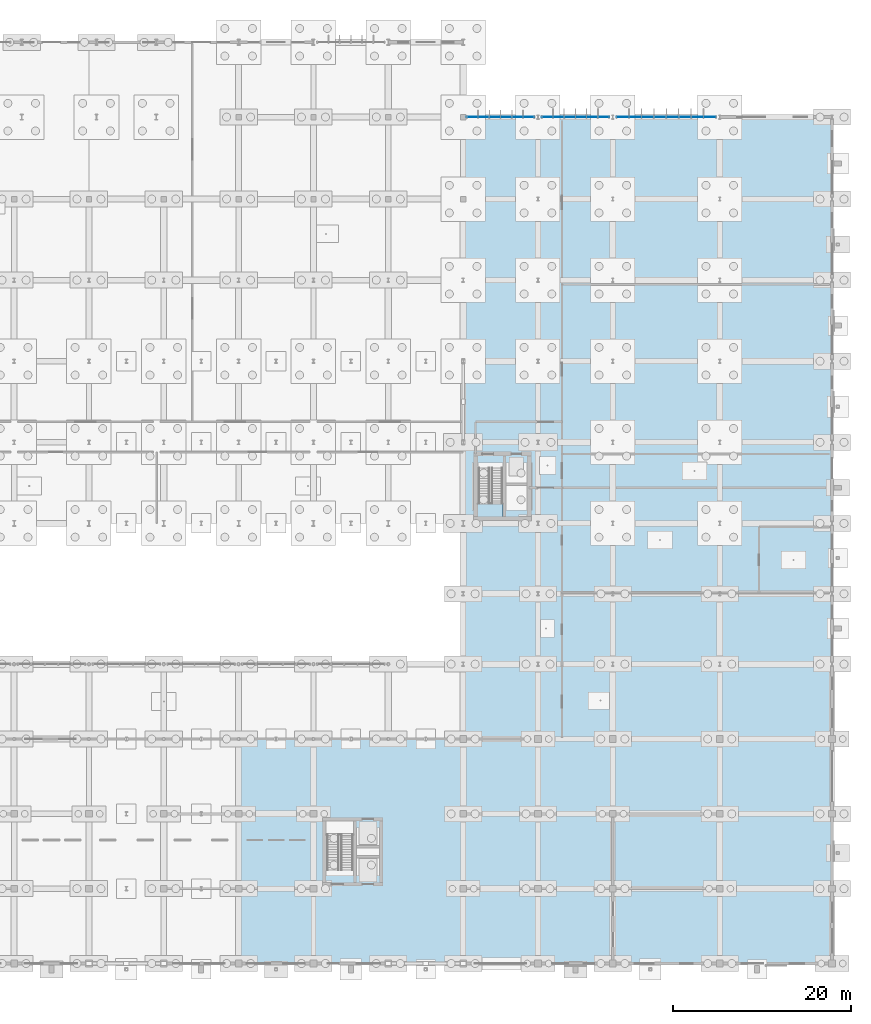
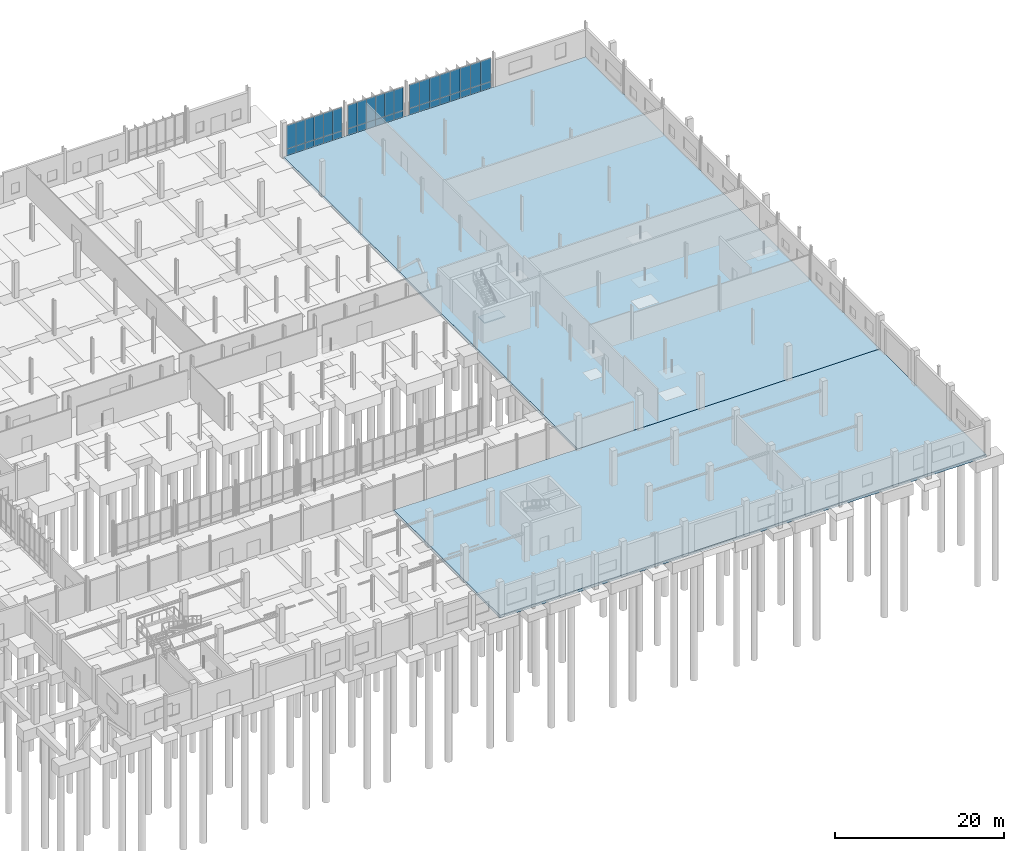
# One storey, part 72 of 119: 40 plates, 3 slabs, 4 elements without a shape of their own.
"""IFC4 building model written with IfcOpenShell, lengths in metres."""

from ifc_helpers import new_model, si_unit, derived_unit, direction, frame, origin, origin_2d, place, context, subcontext, project, spatial, polyline, rectangle, outline, extrude, material, layer, layer_set, type_object, element, aggregate, save


model = new_model("IFC4")

# Units and contexts
model_context = context("Model", 3, precision=1e-05, world=origin(), true_north=direction((0.0, 1.0)))
body_context = subcontext(model_context, "Body", "Model", "MODEL_VIEW")
ifc_project = project(units=[si_unit("LENGTHUNIT", "METRE"), si_unit("AREAUNIT", "SQUARE_METRE"), si_unit("VOLUMEUNIT", "CUBIC_METRE"), si_unit("PLANEANGLEUNIT", "RADIAN"), si_unit("MASSUNIT", "GRAM", prefix="KILO"), derived_unit("THERMALTRANSMITTANCEUNIT", [(si_unit("MASSUNIT", "GRAM", prefix="KILO"), 1), (si_unit("TIMEUNIT", "SECOND"), -3), (si_unit("THERMODYNAMICTEMPERATUREUNIT", "KELVIN"), -1)])], contexts=[model_context])

# Site, building, storey
site_placement = place(None, origin())
site = spatial("IfcSite", under=ifc_project, at=site_placement, CompositionType="ELEMENT")
building_placement = place(site_placement, origin())
building = spatial("IfcBuilding", under=site, at=building_placement, Name="Makaiwela Harbour Ferry Terminal", CompositionType="ELEMENT")
storey_placement = place(building_placement, origin())
storey = spatial("IfcBuildingStorey", under=building, at=storey_placement, Name="L00", CompositionType="ELEMENT", Elevation=0.0)

# Curtain wall, plates
ifc_material_1 = material(Name="Marine anodised aluminium 6063-T6", Category="aluminium")
ifc_layer_1 = layer(ifc_material_1, 0.199951171875)
ifc_layer_set_1 = layer_set([ifc_layer_1], Name="Marine anodised aluminium 6063-T6")
curtain_wall_type_1 = type_object("IfcCurtainWallType", Name="ENV-CW-10", PredefinedType="USERDEFINED", material=ifc_layer_set_1)
curtain_wall_1_placement = place(storey_placement, origin())
curtain_wall_1 = element("IfcCurtainWall", 1, at=curtain_wall_1_placement, inside=storey, type_object=curtain_wall_type_1, Name="Unitised Curtain Wall CWA-120", ObjectType="UNITIZED CURTAIN WALL", PredefinedType="USERDEFINED")
ifc_material_2 = material(Name="Laminated hurricane-impact low-E insulated glazing", Category="glass")
ifc_layer_2 = layer(ifc_material_2, 0.031982421875)
ifc_layer_set_2 = layer_set([ifc_layer_2], Name="Laminated hurricane-impact low-E insulated glazing")
plate_type_1 = type_object("IfcPlateType", Name="CW-PNL-G14", PredefinedType="CURTAIN_PANEL", material=ifc_layer_set_2)
plate_1_placement = place(storey_placement, frame((139.64990234375, 95.0, 0.949951171875), z_axis=(0.0, 0.0, 1.0), x_axis=(1.0, 0.0, 0.0)))
plate_1 = element("IfcPlate", 2, at=plate_1_placement, type_object=plate_type_1, Name="Glazed Vision Panel CWA-120-1G", PredefinedType="CURTAIN_PANEL", context=body_context, shape_type="SweptSolid", body=[
    extrude(rectangle(XDim=1.260009765625, YDim=0.031982421875, at=origin_2d()), origin(), (0.0, 0.0, 1.0), 3.39990234375),
])
plate_2_placement = place(storey_placement, frame((140.909912109375, 95.0, 0.949951171875), z_axis=(0.0, 0.0, 1.0), x_axis=(1.0, 0.0, 0.0)))
plate_2 = element("IfcPlate", 3, at=plate_2_placement, type_object=plate_type_1, Name="Glazed Vision Panel CWA-120-2G", PredefinedType="CURTAIN_PANEL", context=body_context, shape_type="SweptSolid", body=[
    extrude(rectangle(XDim=1.260009765625, YDim=0.031982421875, at=origin_2d()), origin(), (0.0, 0.0, 1.0), 3.39990234375),
])
plate_3_placement = place(storey_placement, frame((142.169921875, 95.0, 0.949951171875), z_axis=(0.0, 0.0, 1.0), x_axis=(1.0, 0.0, 0.0)))
plate_3 = element("IfcPlate", 4, at=plate_3_placement, type_object=plate_type_1, Name="Glazed Vision Panel CWA-120-3G", PredefinedType="CURTAIN_PANEL", context=body_context, shape_type="SweptSolid", body=[
    extrude(rectangle(XDim=1.260009765625, YDim=0.031982421875, at=origin_2d()), origin(), (0.0, 0.0, 1.0), 3.39990234375),
])
plate_4_placement = place(storey_placement, frame((143.429931640625, 95.0, 0.949951171875), z_axis=(0.0, 0.0, 1.0), x_axis=(1.0, 0.0, 0.0)))
plate_4 = element("IfcPlate", 5, at=plate_4_placement, type_object=plate_type_1, Name="Glazed Vision Panel CWA-120-4G", PredefinedType="CURTAIN_PANEL", context=body_context, shape_type="SweptSolid", body=[
    extrude(rectangle(XDim=1.260009765625, YDim=0.031982421875, at=origin_2d()), origin(), (0.0, 0.0, 1.0), 3.39990234375),
])
plate_5_placement = place(storey_placement, frame((144.68994140625, 95.0, 0.949951171875), z_axis=(0.0, 0.0, 1.0), x_axis=(1.0, 0.0, 0.0)))
plate_5 = element("IfcPlate", 6, at=plate_5_placement, type_object=plate_type_1, Name="Glazed Vision Panel CWA-120-5G", PredefinedType="CURTAIN_PANEL", context=body_context, shape_type="SweptSolid", body=[
    extrude(rectangle(XDim=1.260009765625, YDim=0.031982421875, at=origin_2d()), origin(), (0.0, 0.0, 1.0), 3.39990234375),
])
plate_6_placement = place(storey_placement, frame((145.949951171875, 95.0, 0.949951171875), z_axis=(0.0, 0.0, 1.0), x_axis=(1.0, 0.0, 0.0)))
plate_6 = element("IfcPlate", 7, at=plate_6_placement, type_object=plate_type_1, Name="Glazed Vision Panel CWA-120-6G", PredefinedType="CURTAIN_PANEL", context=body_context, shape_type="SweptSolid", body=[
    extrude(rectangle(XDim=1.260009765625, YDim=0.031982421875, at=origin_2d()), origin(), (0.0, 0.0, 1.0), 3.39990234375),
])

curtain_wall_2_placement = place(storey_placement, origin())
curtain_wall_2 = element("IfcCurtainWall", 8, at=curtain_wall_2_placement, inside=storey, type_object=curtain_wall_type_1, Name="Unitised Curtain Wall CWA-124", ObjectType="UNITIZED CURTAIN WALL", PredefinedType="USERDEFINED")
plate_7_placement = place(storey_placement, frame((148.050048828125, 95.0, 0.949951171875), z_axis=(0.0, 0.0, 1.0), x_axis=(1.0, 0.0, 0.0)))
plate_7 = element("IfcPlate", 9, at=plate_7_placement, type_object=plate_type_1, Name="Glazed Vision Panel CWA-124-1G", PredefinedType="CURTAIN_PANEL", context=body_context, shape_type="SweptSolid", body=[
    extrude(rectangle(XDim=1.260009765625, YDim=0.031982421875, at=origin_2d()), origin(), (0.0, 0.0, 1.0), 3.39990234375),
])
plate_8_placement = place(storey_placement, frame((149.31005859375, 95.0, 0.949951171875), z_axis=(0.0, 0.0, 1.0), x_axis=(1.0, 0.0, 0.0)))
plate_8 = element("IfcPlate", 10, at=plate_8_placement, type_object=plate_type_1, Name="Glazed Vision Panel CWA-124-2G", PredefinedType="CURTAIN_PANEL", context=body_context, shape_type="SweptSolid", body=[
    extrude(rectangle(XDim=1.260009765625, YDim=0.031982421875, at=origin_2d()), origin(), (0.0, 0.0, 1.0), 3.39990234375),
])
plate_9_placement = place(storey_placement, frame((150.570068359375, 95.0, 0.949951171875), z_axis=(0.0, 0.0, 1.0), x_axis=(1.0, 0.0, 0.0)))
plate_9 = element("IfcPlate", 11, at=plate_9_placement, type_object=plate_type_1, Name="Glazed Vision Panel CWA-124-3G", PredefinedType="CURTAIN_PANEL", context=body_context, shape_type="SweptSolid", body=[
    extrude(rectangle(XDim=1.260009765625, YDim=0.031982421875, at=origin_2d()), origin(), (0.0, 0.0, 1.0), 3.39990234375),
])
plate_10_placement = place(storey_placement, frame((151.830078125, 95.0, 0.949951171875), z_axis=(0.0, 0.0, 1.0), x_axis=(1.0, 0.0, 0.0)))
plate_10 = element("IfcPlate", 12, at=plate_10_placement, type_object=plate_type_1, Name="Glazed Vision Panel CWA-124-4G", PredefinedType="CURTAIN_PANEL", context=body_context, shape_type="SweptSolid", body=[
    extrude(rectangle(XDim=1.260009765625, YDim=0.031982421875, at=origin_2d()), origin(), (0.0, 0.0, 1.0), 3.39990234375),
])
plate_11_placement = place(storey_placement, frame((153.090087890625, 95.0, 0.949951171875), z_axis=(0.0, 0.0, 1.0), x_axis=(1.0, 0.0, 0.0)))
plate_11 = element("IfcPlate", 13, at=plate_11_placement, type_object=plate_type_1, Name="Glazed Vision Panel CWA-124-5G", PredefinedType="CURTAIN_PANEL", context=body_context, shape_type="SweptSolid", body=[
    extrude(rectangle(XDim=1.260009765625, YDim=0.031982421875, at=origin_2d()), origin(), (0.0, 0.0, 1.0), 3.39990234375),
])
plate_12_placement = place(storey_placement, frame((154.35009765625, 95.0, 0.949951171875), z_axis=(0.0, 0.0, 1.0), x_axis=(1.0, 0.0, 0.0)))
plate_12 = element("IfcPlate", 14, at=plate_12_placement, type_object=plate_type_1, Name="Glazed Vision Panel CWA-124-6G", PredefinedType="CURTAIN_PANEL", context=body_context, shape_type="SweptSolid", body=[
    extrude(rectangle(XDim=1.260009765625, YDim=0.031982421875, at=origin_2d()), origin(), (0.0, 0.0, 1.0), 3.39990234375),
])

ifc_layer_3 = layer(ifc_material_1, 0.199951171875)
ifc_layer_set_3 = layer_set([ifc_layer_3], Name="Marine anodised aluminium 6063-T6")
curtain_wall_type_2 = type_object("IfcCurtainWallType", Name="ENV-CW-16", PredefinedType="USERDEFINED", material=ifc_layer_set_3)
curtain_wall_3_placement = place(storey_placement, origin())
curtain_wall_3 = element("IfcCurtainWall", 15, at=curtain_wall_3_placement, inside=storey, type_object=curtain_wall_type_2, Name="Unitised Curtain Wall CWA-128", ObjectType="UNITIZED CURTAIN WALL", PredefinedType="USERDEFINED")
ifc_layer_4 = layer(ifc_material_2, 0.031982421875)
ifc_layer_set_4 = layer_set([ifc_layer_4], Name="Laminated hurricane-impact low-E insulated glazing")
plate_type_2 = type_object("IfcPlateType", Name="CW-PNL-G22", PredefinedType="CURTAIN_PANEL", material=ifc_layer_set_4)
plate_13_placement = place(storey_placement, frame((156.517578125, 95.0, 0.949951171875), z_axis=(0.0, 0.0, 1.0), x_axis=(1.0, 0.0, 0.0)))
plate_13 = element("IfcPlate", 16, at=plate_13_placement, type_object=plate_type_2, Name="Glazed Vision Panel CWA-128-1G", PredefinedType="CURTAIN_PANEL", context=body_context, shape_type="SweptSolid", body=[
    extrude(rectangle(XDim=1.39501953125, YDim=0.031982421875, at=origin_2d()), origin(), (0.0, 0.0, 1.0), 3.39990234375),
])
plate_14_placement = place(storey_placement, frame((157.91259765625, 95.0, 0.949951171875), z_axis=(0.0, 0.0, 1.0), x_axis=(1.0, 0.0, 0.0)))
plate_14 = element("IfcPlate", 17, at=plate_14_placement, type_object=plate_type_2, Name="Glazed Vision Panel CWA-128-2G", PredefinedType="CURTAIN_PANEL", context=body_context, shape_type="SweptSolid", body=[
    extrude(rectangle(XDim=1.39501953125, YDim=0.031982421875, at=origin_2d()), origin(), (0.0, 0.0, 1.0), 3.39990234375),
])
plate_15_placement = place(storey_placement, frame((159.3076171875, 95.0, 0.949951171875), z_axis=(0.0, 0.0, 1.0), x_axis=(1.0, 0.0, 0.0)))
plate_15 = element("IfcPlate", 18, at=plate_15_placement, type_object=plate_type_2, Name="Glazed Vision Panel CWA-128-3G", PredefinedType="CURTAIN_PANEL", context=body_context, shape_type="SweptSolid", body=[
    extrude(rectangle(XDim=1.39501953125, YDim=0.031982421875, at=origin_2d()), origin(), (0.0, 0.0, 1.0), 3.39990234375),
])
plate_16_placement = place(storey_placement, frame((160.702392578125, 95.0, 0.949951171875), z_axis=(0.0, 0.0, 1.0), x_axis=(1.0, 0.0, 0.0)))
plate_16 = element("IfcPlate", 19, at=plate_16_placement, type_object=plate_type_2, Name="Glazed Vision Panel CWA-128-4G", PredefinedType="CURTAIN_PANEL", context=body_context, shape_type="SweptSolid", body=[
    extrude(rectangle(XDim=1.39501953125, YDim=0.031982421875, at=origin_2d()), origin(), (0.0, 0.0, 1.0), 3.39990234375),
])
plate_17_placement = place(storey_placement, frame((162.097412109375, 95.0, 0.949951171875), z_axis=(0.0, 0.0, 1.0), x_axis=(1.0, 0.0, 0.0)))
plate_17 = element("IfcPlate", 20, at=plate_17_placement, type_object=plate_type_2, Name="Glazed Vision Panel CWA-128-5G", PredefinedType="CURTAIN_PANEL", context=body_context, shape_type="SweptSolid", body=[
    extrude(rectangle(XDim=1.39501953125, YDim=0.031982421875, at=origin_2d()), origin(), (0.0, 0.0, 1.0), 3.39990234375),
])
plate_18_placement = place(storey_placement, frame((163.492431640625, 95.0, 0.949951171875), z_axis=(0.0, 0.0, 1.0), x_axis=(1.0, 0.0, 0.0)))
plate_18 = element("IfcPlate", 21, at=plate_18_placement, type_object=plate_type_2, Name="Glazed Vision Panel CWA-128-6G", PredefinedType="CURTAIN_PANEL", context=body_context, shape_type="SweptSolid", body=[
    extrude(rectangle(XDim=1.39501953125, YDim=0.031982421875, at=origin_2d()), origin(), (0.0, 0.0, 1.0), 3.39990234375),
])
plate_19_placement = place(storey_placement, frame((164.887451171875, 95.0, 0.949951171875), z_axis=(0.0, 0.0, 1.0), x_axis=(1.0, 0.0, 0.0)))
plate_19 = element("IfcPlate", 22, at=plate_19_placement, type_object=plate_type_2, Name="Glazed Vision Panel CWA-128-7G", PredefinedType="CURTAIN_PANEL", context=body_context, shape_type="SweptSolid", body=[
    extrude(rectangle(XDim=1.39501953125, YDim=0.031982421875, at=origin_2d()), origin(), (0.0, 0.0, 1.0), 3.39990234375),
])
plate_20_placement = place(storey_placement, frame((166.282470703125, 95.0, 0.949951171875), z_axis=(0.0, 0.0, 1.0), x_axis=(1.0, 0.0, 0.0)))
plate_20 = element("IfcPlate", 23, at=plate_20_placement, type_object=plate_type_2, Name="Glazed Vision Panel CWA-128-8G", PredefinedType="CURTAIN_PANEL", context=body_context, shape_type="SweptSolid", body=[
    extrude(rectangle(XDim=1.39501953125, YDim=0.031982421875, at=origin_2d()), origin(), (0.0, 0.0, 1.0), 3.39990234375),
])

# Plate
ifc_material_3 = material(Name="Insulated marine aluminium spandrel panel", Category="aluminium")
ifc_layer_5 = layer(ifc_material_3, 0.048095703125)
ifc_layer_set_5 = layer_set([ifc_layer_5], Name="Insulated marine aluminium spandrel panel")
plate_type_3 = type_object("IfcPlateType", Name="CW-PNL-S11", PredefinedType="CURTAIN_PANEL", material=ifc_layer_set_5)
plate_21_placement = place(storey_placement, frame((139.64990234375, 95.0, 0.0), z_axis=(0.0, 0.0, 1.0), x_axis=(1.0, 0.0, 0.0)))
plate_21 = element("IfcPlate", 24, at=plate_21_placement, type_object=plate_type_3, Name="Spandrel Panel CWA-120-1S", PredefinedType="CURTAIN_PANEL", context=body_context, shape_type="SweptSolid", body=[
    extrude(rectangle(XDim=1.260009765625, YDim=0.048095703125, at=origin_2d()), origin(), (0.0, 0.0, 1.0), 0.949951171875),
])

plate_22_placement = place(storey_placement, frame((140.909912109375, 95.0, 0.0), z_axis=(0.0, 0.0, 1.0), x_axis=(1.0, 0.0, 0.0)))
plate_22 = element("IfcPlate", 25, at=plate_22_placement, type_object=plate_type_3, Name="Spandrel Panel CWA-120-2S", PredefinedType="CURTAIN_PANEL", context=body_context, shape_type="SweptSolid", body=[
    extrude(rectangle(XDim=1.260009765625, YDim=0.048095703125, at=origin_2d()), origin(), (0.0, 0.0, 1.0), 0.949951171875),
])

plate_23_placement = place(storey_placement, frame((142.169921875, 95.0, 0.0), z_axis=(0.0, 0.0, 1.0), x_axis=(1.0, 0.0, 0.0)))
plate_23 = element("IfcPlate", 26, at=plate_23_placement, type_object=plate_type_3, Name="Spandrel Panel CWA-120-3S", PredefinedType="CURTAIN_PANEL", context=body_context, shape_type="SweptSolid", body=[
    extrude(rectangle(XDim=1.260009765625, YDim=0.048095703125, at=origin_2d()), origin(), (0.0, 0.0, 1.0), 0.949951171875),
])

plate_24_placement = place(storey_placement, frame((143.429931640625, 95.0, 0.0), z_axis=(0.0, 0.0, 1.0), x_axis=(1.0, 0.0, 0.0)))
plate_24 = element("IfcPlate", 27, at=plate_24_placement, type_object=plate_type_3, Name="Spandrel Panel CWA-120-4S", PredefinedType="CURTAIN_PANEL", context=body_context, shape_type="SweptSolid", body=[
    extrude(rectangle(XDim=1.260009765625, YDim=0.048095703125, at=origin_2d()), origin(), (0.0, 0.0, 1.0), 0.949951171875),
])

plate_25_placement = place(storey_placement, frame((144.68994140625, 95.0, 0.0), z_axis=(0.0, 0.0, 1.0), x_axis=(1.0, 0.0, 0.0)))
plate_25 = element("IfcPlate", 28, at=plate_25_placement, type_object=plate_type_3, Name="Spandrel Panel CWA-120-5S", PredefinedType="CURTAIN_PANEL", context=body_context, shape_type="SweptSolid", body=[
    extrude(rectangle(XDim=1.260009765625, YDim=0.048095703125, at=origin_2d()), origin(), (0.0, 0.0, 1.0), 0.949951171875),
])

plate_26_placement = place(storey_placement, frame((145.949951171875, 95.0, 0.0), z_axis=(0.0, 0.0, 1.0), x_axis=(1.0, 0.0, 0.0)))
plate_26 = element("IfcPlate", 29, at=plate_26_placement, type_object=plate_type_3, Name="Spandrel Panel CWA-120-6S", PredefinedType="CURTAIN_PANEL", context=body_context, shape_type="SweptSolid", body=[
    extrude(rectangle(XDim=1.260009765625, YDim=0.048095703125, at=origin_2d()), origin(), (0.0, 0.0, 1.0), 0.949951171875),
])

aggregate(curtain_wall_1, [plate_21, plate_1, plate_22, plate_2, plate_23, plate_3, plate_24, plate_4, plate_25, plate_5, plate_26, plate_6])

plate_27_placement = place(storey_placement, frame((148.050048828125, 95.0, 0.0), z_axis=(0.0, 0.0, 1.0), x_axis=(1.0, 0.0, 0.0)))
plate_27 = element("IfcPlate", 30, at=plate_27_placement, type_object=plate_type_3, Name="Spandrel Panel CWA-124-1S", PredefinedType="CURTAIN_PANEL", context=body_context, shape_type="SweptSolid", body=[
    extrude(rectangle(XDim=1.260009765625, YDim=0.048095703125, at=origin_2d()), origin(), (0.0, 0.0, 1.0), 0.949951171875),
])

plate_28_placement = place(storey_placement, frame((149.31005859375, 95.0, 0.0), z_axis=(0.0, 0.0, 1.0), x_axis=(1.0, 0.0, 0.0)))
plate_28 = element("IfcPlate", 31, at=plate_28_placement, type_object=plate_type_3, Name="Spandrel Panel CWA-124-2S", PredefinedType="CURTAIN_PANEL", context=body_context, shape_type="SweptSolid", body=[
    extrude(rectangle(XDim=1.260009765625, YDim=0.048095703125, at=origin_2d()), origin(), (0.0, 0.0, 1.0), 0.949951171875),
])

plate_29_placement = place(storey_placement, frame((150.570068359375, 95.0, 0.0), z_axis=(0.0, 0.0, 1.0), x_axis=(1.0, 0.0, 0.0)))
plate_29 = element("IfcPlate", 32, at=plate_29_placement, type_object=plate_type_3, Name="Spandrel Panel CWA-124-3S", PredefinedType="CURTAIN_PANEL", context=body_context, shape_type="SweptSolid", body=[
    extrude(rectangle(XDim=1.260009765625, YDim=0.048095703125, at=origin_2d()), origin(), (0.0, 0.0, 1.0), 0.949951171875),
])

plate_30_placement = place(storey_placement, frame((151.830078125, 95.0, 0.0), z_axis=(0.0, 0.0, 1.0), x_axis=(1.0, 0.0, 0.0)))
plate_30 = element("IfcPlate", 33, at=plate_30_placement, type_object=plate_type_3, Name="Spandrel Panel CWA-124-4S", PredefinedType="CURTAIN_PANEL", context=body_context, shape_type="SweptSolid", body=[
    extrude(rectangle(XDim=1.260009765625, YDim=0.048095703125, at=origin_2d()), origin(), (0.0, 0.0, 1.0), 0.949951171875),
])

plate_31_placement = place(storey_placement, frame((153.090087890625, 95.0, 0.0), z_axis=(0.0, 0.0, 1.0), x_axis=(1.0, 0.0, 0.0)))
plate_31 = element("IfcPlate", 34, at=plate_31_placement, type_object=plate_type_3, Name="Spandrel Panel CWA-124-5S", PredefinedType="CURTAIN_PANEL", context=body_context, shape_type="SweptSolid", body=[
    extrude(rectangle(XDim=1.260009765625, YDim=0.048095703125, at=origin_2d()), origin(), (0.0, 0.0, 1.0), 0.949951171875),
])

plate_32_placement = place(storey_placement, frame((154.35009765625, 95.0, 0.0), z_axis=(0.0, 0.0, 1.0), x_axis=(1.0, 0.0, 0.0)))
plate_32 = element("IfcPlate", 35, at=plate_32_placement, type_object=plate_type_3, Name="Spandrel Panel CWA-124-6S", PredefinedType="CURTAIN_PANEL", context=body_context, shape_type="SweptSolid", body=[
    extrude(rectangle(XDim=1.260009765625, YDim=0.048095703125, at=origin_2d()), origin(), (0.0, 0.0, 1.0), 0.949951171875),
])

aggregate(curtain_wall_2, [plate_27, plate_7, plate_28, plate_8, plate_29, plate_9, plate_30, plate_10, plate_31, plate_11, plate_32, plate_12])

ifc_layer_6 = layer(ifc_material_3, 0.048095703125)
ifc_layer_set_6 = layer_set([ifc_layer_6], Name="Insulated marine aluminium spandrel panel")
plate_type_4 = type_object("IfcPlateType", Name="CW-PNL-S21", PredefinedType="CURTAIN_PANEL", material=ifc_layer_set_6)
plate_33_placement = place(storey_placement, frame((156.517578125, 95.0, 0.0), z_axis=(0.0, 0.0, 1.0), x_axis=(1.0, 0.0, 0.0)))
plate_33 = element("IfcPlate", 36, at=plate_33_placement, type_object=plate_type_4, Name="Spandrel Panel CWA-128-1S", PredefinedType="CURTAIN_PANEL", context=body_context, shape_type="SweptSolid", body=[
    extrude(rectangle(XDim=1.39501953125, YDim=0.048095703125, at=origin_2d()), origin(), (0.0, 0.0, 1.0), 0.949951171875),
])

plate_34_placement = place(storey_placement, frame((157.91259765625, 95.0, 0.0), z_axis=(0.0, 0.0, 1.0), x_axis=(1.0, 0.0, 0.0)))
plate_34 = element("IfcPlate", 37, at=plate_34_placement, type_object=plate_type_4, Name="Spandrel Panel CWA-128-2S", PredefinedType="CURTAIN_PANEL", context=body_context, shape_type="SweptSolid", body=[
    extrude(rectangle(XDim=1.39501953125, YDim=0.048095703125, at=origin_2d()), origin(), (0.0, 0.0, 1.0), 0.949951171875),
])

plate_35_placement = place(storey_placement, frame((159.3076171875, 95.0, 0.0), z_axis=(0.0, 0.0, 1.0), x_axis=(1.0, 0.0, 0.0)))
plate_35 = element("IfcPlate", 38, at=plate_35_placement, type_object=plate_type_4, Name="Spandrel Panel CWA-128-3S", PredefinedType="CURTAIN_PANEL", context=body_context, shape_type="SweptSolid", body=[
    extrude(rectangle(XDim=1.39501953125, YDim=0.048095703125, at=origin_2d()), origin(), (0.0, 0.0, 1.0), 0.949951171875),
])

plate_36_placement = place(storey_placement, frame((160.702392578125, 95.0, 0.0), z_axis=(0.0, 0.0, 1.0), x_axis=(1.0, 0.0, 0.0)))
plate_36 = element("IfcPlate", 39, at=plate_36_placement, type_object=plate_type_4, Name="Spandrel Panel CWA-128-4S", PredefinedType="CURTAIN_PANEL", context=body_context, shape_type="SweptSolid", body=[
    extrude(rectangle(XDim=1.39501953125, YDim=0.048095703125, at=origin_2d()), origin(), (0.0, 0.0, 1.0), 0.949951171875),
])

plate_37_placement = place(storey_placement, frame((162.097412109375, 95.0, 0.0), z_axis=(0.0, 0.0, 1.0), x_axis=(1.0, 0.0, 0.0)))
plate_37 = element("IfcPlate", 40, at=plate_37_placement, type_object=plate_type_4, Name="Spandrel Panel CWA-128-5S", PredefinedType="CURTAIN_PANEL", context=body_context, shape_type="SweptSolid", body=[
    extrude(rectangle(XDim=1.39501953125, YDim=0.048095703125, at=origin_2d()), origin(), (0.0, 0.0, 1.0), 0.949951171875),
])

plate_38_placement = place(storey_placement, frame((163.492431640625, 95.0, 0.0), z_axis=(0.0, 0.0, 1.0), x_axis=(1.0, 0.0, 0.0)))
plate_38 = element("IfcPlate", 41, at=plate_38_placement, type_object=plate_type_4, Name="Spandrel Panel CWA-128-6S", PredefinedType="CURTAIN_PANEL", context=body_context, shape_type="SweptSolid", body=[
    extrude(rectangle(XDim=1.39501953125, YDim=0.048095703125, at=origin_2d()), origin(), (0.0, 0.0, 1.0), 0.949951171875),
])

plate_39_placement = place(storey_placement, frame((164.887451171875, 95.0, 0.0), z_axis=(0.0, 0.0, 1.0), x_axis=(1.0, 0.0, 0.0)))
plate_39 = element("IfcPlate", 42, at=plate_39_placement, type_object=plate_type_4, Name="Spandrel Panel CWA-128-7S", PredefinedType="CURTAIN_PANEL", context=body_context, shape_type="SweptSolid", body=[
    extrude(rectangle(XDim=1.39501953125, YDim=0.048095703125, at=origin_2d()), origin(), (0.0, 0.0, 1.0), 0.949951171875),
])

plate_40_placement = place(storey_placement, frame((166.282470703125, 95.0, 0.0), z_axis=(0.0, 0.0, 1.0), x_axis=(1.0, 0.0, 0.0)))
plate_40 = element("IfcPlate", 43, at=plate_40_placement, type_object=plate_type_4, Name="Spandrel Panel CWA-128-8S", PredefinedType="CURTAIN_PANEL", context=body_context, shape_type="SweptSolid", body=[
    extrude(rectangle(XDim=1.39501953125, YDim=0.048095703125, at=origin_2d()), origin(), (0.0, 0.0, 1.0), 0.949951171875),
])

aggregate(curtain_wall_3, [plate_33, plate_13, plate_34, plate_14, plate_35, plate_15, plate_36, plate_16, plate_37, plate_17, plate_38, plate_18, plate_39, plate_19, plate_40, plate_20])

# Slabs
ifc_material_4 = material(Name="Concrete f'c 35 MPa (5000 psi)", Category="concrete")
ifc_layer_7 = layer(ifc_material_4, 0.3798828125)
ifc_layer_set_7 = layer_set([ifc_layer_7], Name="Concrete f'c 35 MPa (5000 psi)")
slab_type_1 = type_object("IfcSlabType", Name="SLB-BASE-380", PredefinedType="BASESLAB", material=ifc_layer_set_7)
slab_1_placement = place(storey_placement, frame((0.0, 0.0, -0.3798828125)))
element("IfcSlab", 44, at=slab_1_placement, inside=storey, type_object=slab_type_1, Name="Slab SLB-009", PredefinedType="BASESLAB", context=body_context, shape_type="SweptSolid", body=[
    extrude(outline(polyline([(138.60205078125, 95.0), (138.60009765625, 49.39794921875), (138.60009765625, 25.201904296875), (180.0, 25.201904296875), (180.0, 95.0), (138.60205078125, 95.0)])), origin(), (0.0, 0.0, 1.0), 0.3798828125),
])
ifc_layer_8 = layer(ifc_material_4, 0.39990234375)
ifc_layer_set_8 = layer_set([ifc_layer_8], Name="Concrete f'c 35 MPa (5000 psi)")
slab_type_2 = type_object("IfcSlabType", Name="SLB-BASE-400", PredefinedType="BASESLAB", material=ifc_layer_set_8)
slab_2_placement = place(storey_placement, frame((0.0, 0.0, -0.39990234375)))
element("IfcSlab", 45, at=slab_2_placement, inside=storey, type_object=slab_type_2, Name="Slab SLB-008", PredefinedType="BASESLAB", context=body_context, shape_type="SweptSolid", body=[
    extrude(outline(polyline([(113.402099609375, 25.199951171875), (113.402099609375, 0.0), (180.0, 0.0), (180.0, 25.199951171875), (113.402099609375, 25.199951171875)])), origin(), (0.0, 0.0, 1.0), 0.39990234375),
])

# Stair, slab
stair_type = type_object("IfcStairType", Name="CIR-STR-A05", PredefinedType="HALF_TURN_STAIR", material=ifc_material_4)
stair_placement = place(storey_placement, origin())
stair = element("IfcStair", 46, at=stair_placement, inside=storey, type_object=stair_type, Name="Stair ST-05-L00", PredefinedType="HALF_TURN_STAIR")
ifc_layer_9 = layer(ifc_material_4, 0.14990234375)
ifc_layer_set_9 = layer_set([ifc_layer_9], Name="Concrete f'c 35 MPa (5000 psi)")
slab_type_3 = type_object("IfcSlabType", Name="SLB-LND-150", PredefinedType="LANDING", material=ifc_layer_set_9)
slab_3_placement = place(storey_placement, frame((0.0, 0.0, 2.39990234375)))
slab_3 = element("IfcSlab", 47, at=slab_3_placement, type_object=slab_type_3, Name="Stair Half Landing LND-19", PredefinedType="LANDING", context=body_context, shape_type="SweptSolid", body=[
    extrude(outline(polyline([(140.235107421875, 50.135009765625), (143.094970703125, 50.135009765625), (143.094970703125, 51.659912109375), (140.235107421875, 51.659912109375), (140.235107421875, 50.135009765625)])), origin(), (0.0, 0.0, 1.0), 0.150146484375),
])
aggregate(stair, [slab_3])

save(model, "model.ifc")
